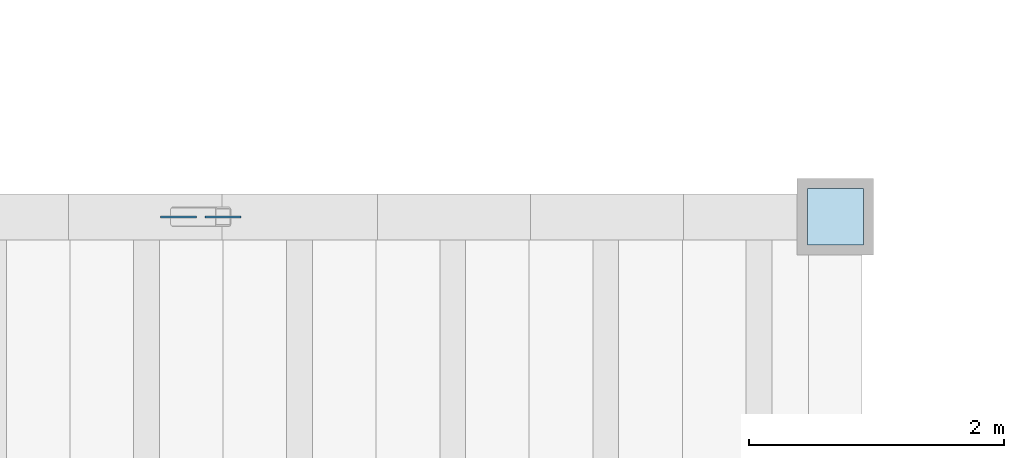
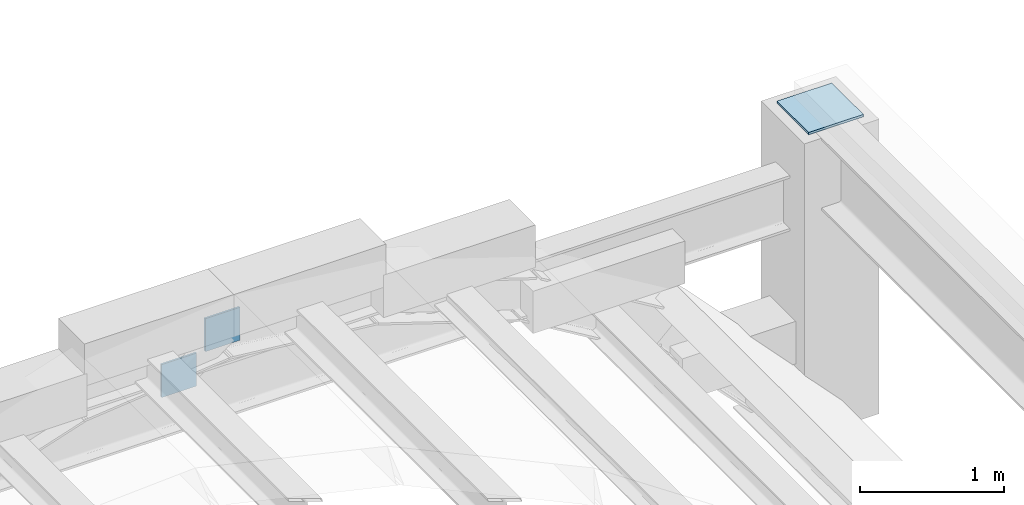
# One storey, part 67 of 70: 3 plates.
"""IFC4 building model written with IfcOpenShell, lengths in metres."""

from ifc_helpers import new_model, si_unit, direction, frame, origin, origin_2d, place, context, subcontext, project, spatial, rectangle, extrude, material, layer, layer_set, type_object, element, save


model = new_model("IFC4")

# Units and contexts
model_context = context("Model", 3, precision=1e-05, world=origin(), true_north=direction((0.0, 1.0)))
body_context = subcontext(model_context, "Body", "Model", "MODEL_VIEW")
ifc_project = project(units=[si_unit("LENGTHUNIT", "METRE"), si_unit("AREAUNIT", "SQUARE_METRE"), si_unit("VOLUMEUNIT", "CUBIC_METRE"), si_unit("PLANEANGLEUNIT", "RADIAN"), si_unit("MASSUNIT", "GRAM", prefix="KILO")], contexts=[model_context])

# Site, building, storey
site_placement = place(None, origin())
site = spatial("IfcSite", under=ifc_project, at=site_placement, CompositionType="ELEMENT")
building_placement = place(site_placement, origin())
building = spatial("IfcBuilding", under=site, at=building_placement, Name="Mavantir Sound Aquarium", CompositionType="ELEMENT")
storey_placement = place(building_placement, frame((0.0, 0.0, 27.0)))
storey = spatial("IfcBuildingStorey", under=building, at=storey_placement, Name="RF", CompositionType="ELEMENT", Elevation=27.0)

# Plates
ifc_material = material(Name="Structural Steel ASTM A572 Gr50", Category="steel")
ifc_layer_1 = layer(ifc_material, 0.02001953125, Name="Structural Steel ASTM A572 Gr50")
ifc_layer_set_1 = layer_set([ifc_layer_1], Name="Structural Steel ASTM A572 Gr50")
plate_type_1 = type_object("IfcPlateType", Name="PLT-ENDCAP-20", PredefinedType="SHEET", material=ifc_layer_set_1)
plate_placement = place(storey_placement, frame((136.800048828125, 80.800048828125, -4.699951171875), z_axis=(0.0, 0.0, 1.0), x_axis=(1.0, 0.0, 0.0)))
element("IfcPlate", 1, at=plate_placement, inside=storey, type_object=plate_type_1, Name="Ridge column cap plate 4.81", PredefinedType="SHEET", context=body_context, shape_type="SweptSolid", body=[
    extrude(rectangle(XDim=0.43994140625, YDim=0.43994140625, at=origin_2d()), origin(), (0.0, 0.0, 1.0), 0.02001953125),
])
ifc_layer_2 = layer(ifc_material, 0.01611328125, Name="Structural Steel ASTM A572 Gr50")
ifc_layer_set_2 = layer_set([ifc_layer_2], Name="Structural Steel ASTM A572 Gr50")
plate_type_2 = type_object("IfcPlateType", Name="PLT-GUSSET-16", PredefinedType="SHEET", material=ifc_layer_set_2)
for number, where, z_axis, x_axis, name in (
    (2, (131.64990234375, 80.800048828125, -5.283203125), (0.0, 0.0, 1.0), (1.0, 0.0, 0.0), "Brace end gusset plate GP-01 123"),
    (3, (132.0, 80.800048828125, -5.0166015625), (0.0, 0.0, 1.0), (1.0, 0.0, 0.0), "Brace end gusset plate GP-01 124"),
):
    element("IfcPlate", number, at=place(storey_placement, frame(where, z_axis=z_axis, x_axis=x_axis)), inside=storey, type_object=plate_type_2, Name=name, PredefinedType="SHEET", context=body_context, shape_type="SweptSolid", body=[
        extrude(rectangle(XDim=0.280029296875, YDim=0.01611328125, at=origin_2d()), origin(), (0.0, 0.0, 1.0), 0.280029296875),
    ])

save(model, "model.ifc")
